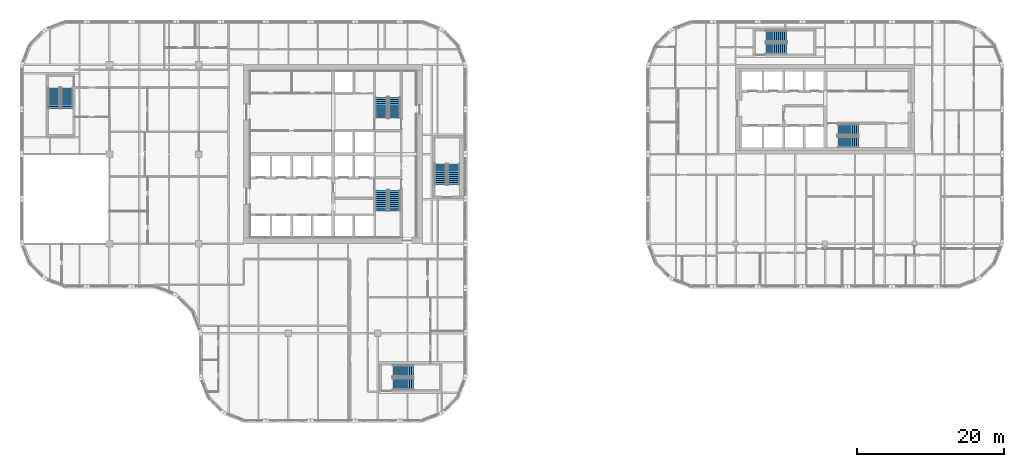
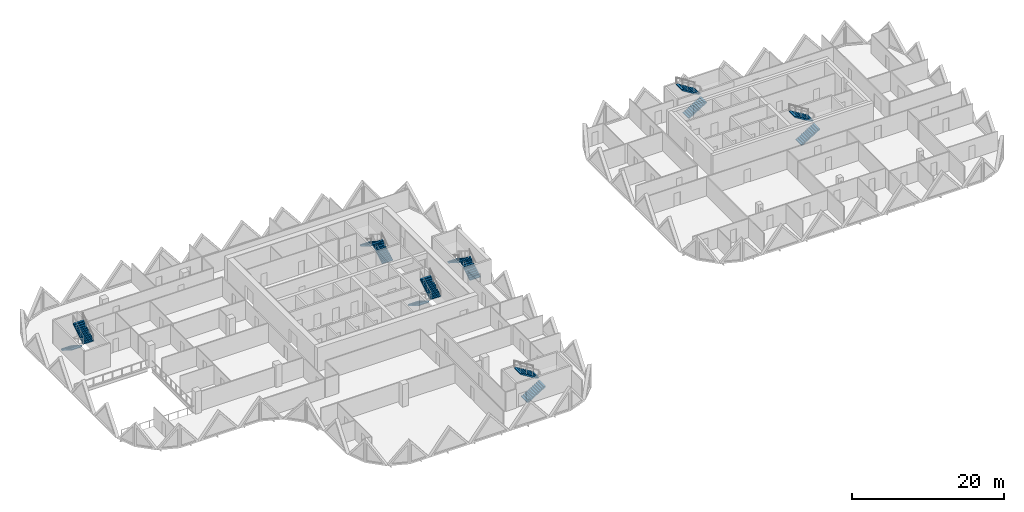
# One storey, part 17 of 19: 14 stair flights, 7 elements without a shape of their own.
"""IFC4 building model written with IfcOpenShell, lengths in metres."""

from ifc_helpers import new_model, si_unit, direction, frame, origin, place, context, subcontext, project, spatial, polyline, outline, extrude, material, type_object, element, aggregate, save


model = new_model("IFC4")

# Units and contexts
model_context = context("Model", 3, precision=1e-05, world=origin(), true_north=direction((0.0, 1.0)))
body_context = subcontext(model_context, "Body", "Model", "MODEL_VIEW")
ifc_project = project(units=[si_unit("LENGTHUNIT", "METRE"), si_unit("AREAUNIT", "SQUARE_METRE"), si_unit("VOLUMEUNIT", "CUBIC_METRE"), si_unit("PLANEANGLEUNIT", "RADIAN"), si_unit("MASSUNIT", "GRAM", prefix="KILO")], contexts=[model_context])

# Site, building, storey
site_placement = place(None, origin())
site = spatial("IfcSite", under=ifc_project, at=site_placement, CompositionType="ELEMENT")
building_placement = place(site_placement, origin())
building = spatial("IfcBuilding", under=site, at=building_placement, Name="Tessera Gate Towers", CompositionType="ELEMENT")
storey_placement = place(building_placement, frame((0.0, 0.0, 68.60009765625)))
storey = spatial("IfcBuildingStorey", under=building, at=storey_placement, Name="L16", CompositionType="ELEMENT", Elevation=68.60009765625)

# Stair, stair flights
ifc_material_1 = material(Name="Concrete C40/50", Category="concrete")
stair_type_1 = type_object("IfcStairType", Name="EXIT STAIR ST1 1600", PredefinedType="HALF_TURN_STAIR", material=ifc_material_1)
stair_1_placement = place(storey_placement, origin())
stair_1 = element("IfcStair", 1, at=stair_1_placement, inside=storey, type_object=stair_type_1, Name="L16 Protected Exit Stair ST1", PredefinedType="HALF_TURN_STAIR")
ifc_material_2 = material(Name="Concrete C40/50", Category="concrete")
stair_flight_type_1 = type_object("IfcStairFlightType", Name="EXIT STAIR FLIGHT ST1 1600", PredefinedType="STRAIGHT", material=ifc_material_2)
stair_flight_1_placement = place(storey_placement, frame((49.27490234375, 31.675048828125, 0.0), z_axis=(0.0, 0.0, 1.0), x_axis=(0.0, -1.0, 0.0)))
stair_flight_1 = element("IfcStairFlight", 2, at=stair_flight_1_placement, type_object=stair_flight_type_1, Name="ST1 flight 1", NumberOfRisers=11, NumberOfTreads=10, PredefinedType="STRAIGHT", RiserHeight=0.172727273, TreadLength=0.28, context=body_context, shape_type="SweptSolid", body=[
    extrude(outline(polyline([(0.0, 0.0), (0.0, 0.172607421875), (0.280029296875, 0.172607421875), (0.280029296875, 0.345458984375), (0.56005859375, 0.345458984375), (0.56005859375, 0.51806640625), (0.840087890625, 0.51806640625), (0.840087890625, 0.69091796875), (1.1201171875, 0.69091796875), (1.1201171875, 0.863525390625), (1.39990234375, 0.863525390625), (1.39990234375, 1.036376953125), (1.679931640625, 1.036376953125), (1.679931640625, 1.208984375), (1.9599609375, 1.208984375), (1.9599609375, 1.3818359375), (2.239990234375, 1.3818359375), (2.239990234375, 1.554443359375), (2.52001953125, 1.554443359375), (2.52001953125, 1.727294921875), (2.800048828125, 1.727294921875), (2.800048828125, 1.89990234375), (2.800048828125, 1.551025390625), (0.285400390625, 0.0), (0.0, 0.0)])), frame((0.0, 0.800048828125, 0.0), z_axis=(0.0, -1.0, 0.0), x_axis=(1.0, 0.0, 0.0)), (0.0, 0.0, 1.0), 1.60009765625),
])
stair_flight_2_placement = place(storey_placement, frame((51.074951171875, 28.875, 1.89990234375), z_axis=(0.0, 0.0, 1.0), x_axis=(0.0, 1.0, 0.0)))
stair_flight_2 = element("IfcStairFlight", 3, at=stair_flight_2_placement, type_object=stair_flight_type_1, Name="ST1 flight 2", NumberOfRisers=11, NumberOfTreads=10, PredefinedType="STRAIGHT", RiserHeight=0.172727273, TreadLength=0.28, context=body_context, shape_type="SweptSolid", body=[
    extrude(outline(polyline([(0.0, 0.0), (0.0, 0.172607421875), (0.280029296875, 0.172607421875), (0.280029296875, 0.345458984375), (0.56005859375, 0.345458984375), (0.56005859375, 0.51806640625), (0.840087890625, 0.51806640625), (0.840087890625, 0.69091796875), (1.1201171875, 0.69091796875), (1.1201171875, 0.863525390625), (1.39990234375, 0.863525390625), (1.39990234375, 1.036376953125), (1.679931640625, 1.036376953125), (1.679931640625, 1.208984375), (1.9599609375, 1.208984375), (1.9599609375, 1.3818359375), (2.239990234375, 1.3818359375), (2.239990234375, 1.554443359375), (2.52001953125, 1.554443359375), (2.52001953125, 1.727294921875), (2.800048828125, 1.727294921875), (2.800048828125, 1.89990234375), (2.800048828125, 1.551025390625), (0.285400390625, 0.0), (0.0, 0.0)])), frame((0.0, 0.800048828125, 0.0), z_axis=(0.0, -1.0, 0.0), x_axis=(1.0, 0.0, 0.0)), (0.0, 0.0, 1.0), 1.60009765625),
])
aggregate(stair_1, [stair_flight_1, stair_flight_2])

ifc_material_3 = material(Name="Concrete C40/50", Category="concrete")
stair_type_2 = type_object("IfcStairType", Name="EXIT STAIR ST2 1600", PredefinedType="HALF_TURN_STAIR", material=ifc_material_3)
stair_2_placement = place(storey_placement, origin())
stair_2 = element("IfcStair", 4, at=stair_2_placement, inside=storey, type_object=stair_type_2, Name="L16 Protected Exit Stair ST2", PredefinedType="HALF_TURN_STAIR")
ifc_material_4 = material(Name="Concrete C40/50", Category="concrete")
stair_flight_type_2 = type_object("IfcStairFlightType", Name="EXIT STAIR FLIGHT ST2 1600", PredefinedType="STRAIGHT", material=ifc_material_4)
stair_flight_3_placement = place(storey_placement, frame((51.074951171875, 41.52490234375, 0.0), z_axis=(0.0, 0.0, 1.0), x_axis=(0.0, 1.0, 0.0)))
stair_flight_3 = element("IfcStairFlight", 5, at=stair_flight_3_placement, type_object=stair_flight_type_2, Name="ST2 flight 1", NumberOfRisers=11, NumberOfTreads=10, PredefinedType="STRAIGHT", RiserHeight=0.172727273, TreadLength=0.28, context=body_context, shape_type="SweptSolid", body=[
    extrude(outline(polyline([(0.0, 0.0), (0.0, 0.172607421875), (0.280029296875, 0.172607421875), (0.280029296875, 0.345458984375), (0.56005859375, 0.345458984375), (0.56005859375, 0.51806640625), (0.840087890625, 0.51806640625), (0.840087890625, 0.69091796875), (1.1201171875, 0.69091796875), (1.1201171875, 0.863525390625), (1.39990234375, 0.863525390625), (1.39990234375, 1.036376953125), (1.679931640625, 1.036376953125), (1.679931640625, 1.208984375), (1.9599609375, 1.208984375), (1.9599609375, 1.3818359375), (2.239990234375, 1.3818359375), (2.239990234375, 1.554443359375), (2.52001953125, 1.554443359375), (2.52001953125, 1.727294921875), (2.800048828125, 1.727294921875), (2.800048828125, 1.89990234375), (2.800048828125, 1.551025390625), (0.285400390625, 0.0), (0.0, 0.0)])), frame((0.0, 0.800048828125, 0.0), z_axis=(0.0, -1.0, 0.0), x_axis=(1.0, 0.0, 0.0)), (0.0, 0.0, 1.0), 1.60009765625),
])
stair_flight_4_placement = place(storey_placement, frame((49.27490234375, 44.324951171875, 1.89990234375), z_axis=(0.0, 0.0, 1.0), x_axis=(0.0, -1.0, 0.0)))
stair_flight_4 = element("IfcStairFlight", 6, at=stair_flight_4_placement, type_object=stair_flight_type_2, Name="ST2 flight 2", NumberOfRisers=11, NumberOfTreads=10, PredefinedType="STRAIGHT", RiserHeight=0.172727273, TreadLength=0.28, context=body_context, shape_type="SweptSolid", body=[
    extrude(outline(polyline([(0.0, 0.0), (0.0, 0.172607421875), (0.280029296875, 0.172607421875), (0.280029296875, 0.345458984375), (0.56005859375, 0.345458984375), (0.56005859375, 0.51806640625), (0.840087890625, 0.51806640625), (0.840087890625, 0.69091796875), (1.1201171875, 0.69091796875), (1.1201171875, 0.863525390625), (1.39990234375, 0.863525390625), (1.39990234375, 1.036376953125), (1.679931640625, 1.036376953125), (1.679931640625, 1.208984375), (1.9599609375, 1.208984375), (1.9599609375, 1.3818359375), (2.239990234375, 1.3818359375), (2.239990234375, 1.554443359375), (2.52001953125, 1.554443359375), (2.52001953125, 1.727294921875), (2.800048828125, 1.727294921875), (2.800048828125, 1.89990234375), (2.800048828125, 1.551025390625), (0.285400390625, 0.0), (0.0, 0.0)])), frame((0.0, 0.800048828125, 0.0), z_axis=(0.0, -1.0, 0.0), x_axis=(1.0, 0.0, 0.0)), (0.0, 0.0, 1.0), 1.60009765625),
])
aggregate(stair_2, [stair_flight_3, stair_flight_4])

ifc_material_5 = material(Name="Concrete C40/50", Category="concrete")
stair_type_3 = type_object("IfcStairType", Name="EXIT STAIR ST3 1600", PredefinedType="HALF_TURN_STAIR", material=ifc_material_5)
stair_3_placement = place(storey_placement, origin())
stair_3 = element("IfcStair", 7, at=stair_3_placement, inside=storey, type_object=stair_type_3, Name="L16 West Exit Stair ST3", PredefinedType="HALF_TURN_STAIR")
ifc_material_6 = material(Name="Concrete C40/50", Category="concrete")
stair_flight_type_3 = type_object("IfcStairFlightType", Name="EXIT STAIR FLIGHT ST3 1600", PredefinedType="STRAIGHT", material=ifc_material_6)
stair_flight_5_placement = place(storey_placement, frame((4.64990234375, 45.64990234375, 0.0), z_axis=(0.0, 0.0, 1.0), x_axis=(0.0, -1.0, 0.0)))
stair_flight_5 = element("IfcStairFlight", 8, at=stair_flight_5_placement, type_object=stair_flight_type_3, Name="ST3 flight 1", NumberOfRisers=11, NumberOfTreads=10, PredefinedType="STRAIGHT", RiserHeight=0.172727273, TreadLength=0.28, context=body_context, shape_type="SweptSolid", body=[
    extrude(outline(polyline([(0.0, 0.0), (0.0, 0.172607421875), (0.280029296875, 0.172607421875), (0.280029296875, 0.345458984375), (0.56005859375, 0.345458984375), (0.56005859375, 0.51806640625), (0.840087890625, 0.51806640625), (0.840087890625, 0.69091796875), (1.1201171875, 0.69091796875), (1.1201171875, 0.863525390625), (1.39990234375, 0.863525390625), (1.39990234375, 1.036376953125), (1.679931640625, 1.036376953125), (1.679931640625, 1.208984375), (1.9599609375, 1.208984375), (1.9599609375, 1.3818359375), (2.239990234375, 1.3818359375), (2.239990234375, 1.554443359375), (2.52001953125, 1.554443359375), (2.52001953125, 1.727294921875), (2.800048828125, 1.727294921875), (2.800048828125, 1.89990234375), (2.800048828125, 1.551025390625), (0.285400390625, 0.0), (0.0, 0.0)])), frame((0.0, 0.800048828125, 0.0), z_axis=(0.0, -1.0, 0.0), x_axis=(1.0, 0.0, 0.0)), (0.0, 0.0, 1.0), 1.60009765625),
])
stair_flight_6_placement = place(storey_placement, frame((6.449951171875, 42.85009765625, 1.89990234375), z_axis=(0.0, 0.0, 1.0), x_axis=(0.0, 1.0, 0.0)))
stair_flight_6 = element("IfcStairFlight", 9, at=stair_flight_6_placement, type_object=stair_flight_type_3, Name="ST3 flight 2", NumberOfRisers=11, NumberOfTreads=10, PredefinedType="STRAIGHT", RiserHeight=0.172727273, TreadLength=0.28, context=body_context, shape_type="SweptSolid", body=[
    extrude(outline(polyline([(0.0, 0.0), (0.0, 0.172607421875), (0.280029296875, 0.172607421875), (0.280029296875, 0.345458984375), (0.56005859375, 0.345458984375), (0.56005859375, 0.51806640625), (0.840087890625, 0.51806640625), (0.840087890625, 0.69091796875), (1.1201171875, 0.69091796875), (1.1201171875, 0.863525390625), (1.39990234375, 0.863525390625), (1.39990234375, 1.036376953125), (1.679931640625, 1.036376953125), (1.679931640625, 1.208984375), (1.9599609375, 1.208984375), (1.9599609375, 1.3818359375), (2.239990234375, 1.3818359375), (2.239990234375, 1.554443359375), (2.52001953125, 1.554443359375), (2.52001953125, 1.727294921875), (2.800048828125, 1.727294921875), (2.800048828125, 1.89990234375), (2.800048828125, 1.551025390625), (0.285400390625, 0.0), (0.0, 0.0)])), frame((0.0, 0.800048828125, 0.0), z_axis=(0.0, -1.0, 0.0), x_axis=(1.0, 0.0, 0.0)), (0.0, 0.0, 1.0), 1.60009765625),
])
aggregate(stair_3, [stair_flight_5, stair_flight_6])

ifc_material_7 = material(Name="Concrete C40/50", Category="concrete")
stair_type_4 = type_object("IfcStairType", Name="EXIT STAIR ST4 1600", PredefinedType="HALF_TURN_STAIR", material=ifc_material_7)
stair_4_placement = place(storey_placement, origin())
stair_4 = element("IfcStair", 10, at=stair_4_placement, inside=storey, type_object=stair_type_4, Name="L16 South Exit Stair ST4", PredefinedType="HALF_TURN_STAIR")
ifc_material_8 = material(Name="Concrete C40/50", Category="concrete")
stair_flight_type_4 = type_object("IfcStairFlightType", Name="EXIT STAIR FLIGHT ST4 1600", PredefinedType="STRAIGHT", material=ifc_material_8)
stair_flight_7_placement = place(storey_placement, frame((50.85009765625, 5.25, 0.0), z_axis=(0.0, 0.0, 1.0), x_axis=(1.0, 0.0, 0.0)))
stair_flight_7 = element("IfcStairFlight", 11, at=stair_flight_7_placement, type_object=stair_flight_type_4, Name="ST4 flight 1", NumberOfRisers=11, NumberOfTreads=10, PredefinedType="STRAIGHT", RiserHeight=0.172727273, TreadLength=0.28, context=body_context, shape_type="SweptSolid", body=[
    extrude(outline(polyline([(0.0, 0.0), (0.0, 0.172607421875), (0.280029296875, 0.172607421875), (0.280029296875, 0.345458984375), (0.56005859375, 0.345458984375), (0.56005859375, 0.51806640625), (0.840087890625, 0.51806640625), (0.840087890625, 0.69091796875), (1.1201171875, 0.69091796875), (1.1201171875, 0.863525390625), (1.39990234375, 0.863525390625), (1.39990234375, 1.036376953125), (1.679931640625, 1.036376953125), (1.679931640625, 1.208984375), (1.9599609375, 1.208984375), (1.9599609375, 1.3818359375), (2.239990234375, 1.3818359375), (2.239990234375, 1.554443359375), (2.52001953125, 1.554443359375), (2.52001953125, 1.727294921875), (2.800048828125, 1.727294921875), (2.800048828125, 1.89990234375), (2.800048828125, 1.551025390625), (0.285400390625, 0.0), (0.0, 0.0)])), frame((0.0, 0.800048828125, 0.0), z_axis=(0.0, -1.0, 0.0), x_axis=(1.0, 0.0, 0.0)), (0.0, 0.0, 1.0), 1.60009765625),
])
stair_flight_8_placement = place(storey_placement, frame((53.64990234375, 7.050048828125, 1.89990234375), z_axis=(0.0, 0.0, 1.0), x_axis=(-1.0, 0.0, 0.0)))
stair_flight_8 = element("IfcStairFlight", 12, at=stair_flight_8_placement, type_object=stair_flight_type_4, Name="ST4 flight 2", NumberOfRisers=11, NumberOfTreads=10, PredefinedType="STRAIGHT", RiserHeight=0.172727273, TreadLength=0.28, context=body_context, shape_type="SweptSolid", body=[
    extrude(outline(polyline([(0.0, 0.0), (0.0, 0.172607421875), (0.280029296875, 0.172607421875), (0.280029296875, 0.345458984375), (0.56005859375, 0.345458984375), (0.56005859375, 0.51806640625), (0.840087890625, 0.51806640625), (0.840087890625, 0.69091796875), (1.1201171875, 0.69091796875), (1.1201171875, 0.863525390625), (1.39990234375, 0.863525390625), (1.39990234375, 1.036376953125), (1.679931640625, 1.036376953125), (1.679931640625, 1.208984375), (1.9599609375, 1.208984375), (1.9599609375, 1.3818359375), (2.239990234375, 1.3818359375), (2.239990234375, 1.554443359375), (2.52001953125, 1.554443359375), (2.52001953125, 1.727294921875), (2.800048828125, 1.727294921875), (2.800048828125, 1.89990234375), (2.800048828125, 1.551025390625), (0.285400390625, 0.0), (0.0, 0.0)])), frame((0.0, 0.800048828125, 0.0), z_axis=(0.0, -1.0, 0.0), x_axis=(1.0, 0.0, 0.0)), (0.0, 0.0, 1.0), 1.60009765625),
])
aggregate(stair_4, [stair_flight_7, stair_flight_8])

ifc_material_9 = material(Name="Concrete C40/50", Category="concrete")
stair_type_5 = type_object("IfcStairType", Name="EXIT STAIR ST5 1600", PredefinedType="HALF_TURN_STAIR", material=ifc_material_9)
stair_5_placement = place(storey_placement, origin())
stair_5 = element("IfcStair", 13, at=stair_5_placement, inside=storey, type_object=stair_type_5, Name="L16 East Exit Stair ST5", PredefinedType="HALF_TURN_STAIR")
ifc_material_10 = material(Name="Concrete C40/50", Category="concrete")
stair_flight_type_5 = type_object("IfcStairFlightType", Name="EXIT STAIR FLIGHT ST5 1600", PredefinedType="STRAIGHT", material=ifc_material_10)
stair_flight_9_placement = place(storey_placement, frame((59.14990234375, 32.449951171875, 0.0), z_axis=(0.0, 0.0, 1.0), x_axis=(0.0, 1.0, 0.0)))
stair_flight_9 = element("IfcStairFlight", 14, at=stair_flight_9_placement, type_object=stair_flight_type_5, Name="ST5 flight 1", NumberOfRisers=11, NumberOfTreads=10, PredefinedType="STRAIGHT", RiserHeight=0.172727273, TreadLength=0.28, context=body_context, shape_type="SweptSolid", body=[
    extrude(outline(polyline([(0.0, 0.0), (0.0, 0.172607421875), (0.280029296875, 0.172607421875), (0.280029296875, 0.345458984375), (0.56005859375, 0.345458984375), (0.56005859375, 0.51806640625), (0.840087890625, 0.51806640625), (0.840087890625, 0.69091796875), (1.1201171875, 0.69091796875), (1.1201171875, 0.863525390625), (1.39990234375, 0.863525390625), (1.39990234375, 1.036376953125), (1.679931640625, 1.036376953125), (1.679931640625, 1.208984375), (1.9599609375, 1.208984375), (1.9599609375, 1.3818359375), (2.239990234375, 1.3818359375), (2.239990234375, 1.554443359375), (2.52001953125, 1.554443359375), (2.52001953125, 1.727294921875), (2.800048828125, 1.727294921875), (2.800048828125, 1.89990234375), (2.800048828125, 1.551025390625), (0.285400390625, 0.0), (0.0, 0.0)])), frame((0.0, 0.800048828125, 0.0), z_axis=(0.0, -1.0, 0.0), x_axis=(1.0, 0.0, 0.0)), (0.0, 0.0, 1.0), 1.60009765625),
])
stair_flight_10_placement = place(storey_placement, frame((57.35009765625, 35.25, 1.89990234375), z_axis=(0.0, 0.0, 1.0), x_axis=(0.0, -1.0, 0.0)))
stair_flight_10 = element("IfcStairFlight", 15, at=stair_flight_10_placement, type_object=stair_flight_type_5, Name="ST5 flight 2", NumberOfRisers=11, NumberOfTreads=10, PredefinedType="STRAIGHT", RiserHeight=0.172727273, TreadLength=0.28, context=body_context, shape_type="SweptSolid", body=[
    extrude(outline(polyline([(0.0, 0.0), (0.0, 0.172607421875), (0.280029296875, 0.172607421875), (0.280029296875, 0.345458984375), (0.56005859375, 0.345458984375), (0.56005859375, 0.51806640625), (0.840087890625, 0.51806640625), (0.840087890625, 0.69091796875), (1.1201171875, 0.69091796875), (1.1201171875, 0.863525390625), (1.39990234375, 0.863525390625), (1.39990234375, 1.036376953125), (1.679931640625, 1.036376953125), (1.679931640625, 1.208984375), (1.9599609375, 1.208984375), (1.9599609375, 1.3818359375), (2.239990234375, 1.3818359375), (2.239990234375, 1.554443359375), (2.52001953125, 1.554443359375), (2.52001953125, 1.727294921875), (2.800048828125, 1.727294921875), (2.800048828125, 1.89990234375), (2.800048828125, 1.551025390625), (0.285400390625, 0.0), (0.0, 0.0)])), frame((0.0, 0.800048828125, 0.0), z_axis=(0.0, -1.0, 0.0), x_axis=(1.0, 0.0, 0.0)), (0.0, 0.0, 1.0), 1.60009765625),
])
aggregate(stair_5, [stair_flight_9, stair_flight_10])

ifc_material_11 = material(Name="Concrete C40/50", Category="concrete")
stair_type_6 = type_object("IfcStairType", Name="EXIT STAIR ST6 1500", PredefinedType="HALF_TURN_STAIR", material=ifc_material_11)
stair_6_placement = place(storey_placement, origin())
stair_6 = element("IfcStair", 16, at=stair_6_placement, inside=storey, type_object=stair_type_6, Name="L16 Protected Exit Stair ST6", PredefinedType="HALF_TURN_STAIR")
ifc_material_12 = material(Name="Concrete C40/50", Category="concrete")
stair_flight_type_6 = type_object("IfcStairFlightType", Name="EXIT STAIR FLIGHT ST6 1500", PredefinedType="STRAIGHT", material=ifc_material_12)
stair_flight_11_placement = place(storey_placement, frame((111.550048828125, 38.25, 0.0), z_axis=(0.0, 0.0, 1.0), x_axis=(1.0, 0.0, 0.0)))
stair_flight_11 = element("IfcStairFlight", 17, at=stair_flight_11_placement, type_object=stair_flight_type_6, Name="ST6 flight 1", NumberOfRisers=11, NumberOfTreads=10, PredefinedType="STRAIGHT", RiserHeight=0.172727273, TreadLength=0.28, context=body_context, shape_type="SweptSolid", body=[
    extrude(outline(polyline([(0.0, 0.0), (0.0, 0.172607421875), (0.280029296875, 0.172607421875), (0.280029296875, 0.345458984375), (0.56005859375, 0.345458984375), (0.56005859375, 0.51806640625), (0.840087890625, 0.51806640625), (0.840087890625, 0.69091796875), (1.1201171875, 0.69091796875), (1.1201171875, 0.863525390625), (1.39990234375, 0.863525390625), (1.39990234375, 1.036376953125), (1.679931640625, 1.036376953125), (1.679931640625, 1.208984375), (1.9599609375, 1.208984375), (1.9599609375, 1.3818359375), (2.239990234375, 1.3818359375), (2.239990234375, 1.554443359375), (2.52001953125, 1.554443359375), (2.52001953125, 1.727294921875), (2.800048828125, 1.727294921875), (2.800048828125, 1.89990234375), (2.800048828125, 1.551025390625), (0.285400390625, 0.0), (0.0, 0.0)])), frame((0.0, 0.75, 0.0), z_axis=(0.0, -1.0, 0.0), x_axis=(1.0, 0.0, 0.0)), (0.0, 0.0, 1.0), 1.5),
])
stair_flight_12_placement = place(storey_placement, frame((114.35009765625, 39.949951171875, 1.89990234375), z_axis=(0.0, 0.0, 1.0), x_axis=(-1.0, 0.0, 0.0)))
stair_flight_12 = element("IfcStairFlight", 18, at=stair_flight_12_placement, type_object=stair_flight_type_6, Name="ST6 flight 2", NumberOfRisers=11, NumberOfTreads=10, PredefinedType="STRAIGHT", RiserHeight=0.172727273, TreadLength=0.28, context=body_context, shape_type="SweptSolid", body=[
    extrude(outline(polyline([(0.0, 0.0), (0.0, 0.172607421875), (0.280029296875, 0.172607421875), (0.280029296875, 0.345458984375), (0.56005859375, 0.345458984375), (0.56005859375, 0.51806640625), (0.840087890625, 0.51806640625), (0.840087890625, 0.69091796875), (1.1201171875, 0.69091796875), (1.1201171875, 0.863525390625), (1.39990234375, 0.863525390625), (1.39990234375, 1.036376953125), (1.679931640625, 1.036376953125), (1.679931640625, 1.208984375), (1.9599609375, 1.208984375), (1.9599609375, 1.3818359375), (2.239990234375, 1.3818359375), (2.239990234375, 1.554443359375), (2.52001953125, 1.554443359375), (2.52001953125, 1.727294921875), (2.800048828125, 1.727294921875), (2.800048828125, 1.89990234375), (2.800048828125, 1.551025390625), (0.285400390625, 0.0), (0.0, 0.0)])), frame((0.0, 0.75, 0.0), z_axis=(0.0, -1.0, 0.0), x_axis=(1.0, 0.0, 0.0)), (0.0, 0.0, 1.0), 1.5),
])
aggregate(stair_6, [stair_flight_11, stair_flight_12])

ifc_material_13 = material(Name="Concrete C40/50", Category="concrete")
stair_type_7 = type_object("IfcStairType", Name="EXIT STAIR ST7 1500", PredefinedType="HALF_TURN_STAIR", material=ifc_material_13)
stair_7_placement = place(storey_placement, origin())
stair_7 = element("IfcStair", 19, at=stair_7_placement, inside=storey, type_object=stair_type_7, Name="L16 North Exit Stair ST7", PredefinedType="HALF_TURN_STAIR")
ifc_material_14 = material(Name="Concrete C40/50", Category="concrete")
stair_flight_type_7 = type_object("IfcStairFlightType", Name="EXIT STAIR FLIGHT ST7 1500", PredefinedType="STRAIGHT", material=ifc_material_14)
stair_flight_13_placement = place(storey_placement, frame((101.75, 51.0, 0.0), z_axis=(0.0, 0.0, 1.0), x_axis=(1.0, 0.0, 0.0)))
stair_flight_13 = element("IfcStairFlight", 20, at=stair_flight_13_placement, type_object=stair_flight_type_7, Name="ST7 flight 1", NumberOfRisers=11, NumberOfTreads=10, PredefinedType="STRAIGHT", RiserHeight=0.172727273, TreadLength=0.28, context=body_context, shape_type="SweptSolid", body=[
    extrude(outline(polyline([(0.0, 0.0), (0.0, 0.172607421875), (0.280029296875, 0.172607421875), (0.280029296875, 0.345458984375), (0.56005859375, 0.345458984375), (0.56005859375, 0.51806640625), (0.840087890625, 0.51806640625), (0.840087890625, 0.69091796875), (1.1201171875, 0.69091796875), (1.1201171875, 0.863525390625), (1.39990234375, 0.863525390625), (1.39990234375, 1.036376953125), (1.679931640625, 1.036376953125), (1.679931640625, 1.208984375), (1.9599609375, 1.208984375), (1.9599609375, 1.3818359375), (2.239990234375, 1.3818359375), (2.239990234375, 1.554443359375), (2.52001953125, 1.554443359375), (2.52001953125, 1.727294921875), (2.800048828125, 1.727294921875), (2.800048828125, 1.89990234375), (2.800048828125, 1.551025390625), (0.285400390625, 0.0), (0.0, 0.0)])), frame((0.0, 0.75, 0.0), z_axis=(0.0, -1.0, 0.0), x_axis=(1.0, 0.0, 0.0)), (0.0, 0.0, 1.0), 1.5),
])
stair_flight_14_placement = place(storey_placement, frame((104.550048828125, 52.699951171875, 1.89990234375), z_axis=(0.0, 0.0, 1.0), x_axis=(-1.0, 0.0, 0.0)))
stair_flight_14 = element("IfcStairFlight", 21, at=stair_flight_14_placement, type_object=stair_flight_type_7, Name="ST7 flight 2", NumberOfRisers=11, NumberOfTreads=10, PredefinedType="STRAIGHT", RiserHeight=0.172727273, TreadLength=0.28, context=body_context, shape_type="SweptSolid", body=[
    extrude(outline(polyline([(0.0, 0.0), (0.0, 0.172607421875), (0.280029296875, 0.172607421875), (0.280029296875, 0.345458984375), (0.56005859375, 0.345458984375), (0.56005859375, 0.51806640625), (0.840087890625, 0.51806640625), (0.840087890625, 0.69091796875), (1.1201171875, 0.69091796875), (1.1201171875, 0.863525390625), (1.39990234375, 0.863525390625), (1.39990234375, 1.036376953125), (1.679931640625, 1.036376953125), (1.679931640625, 1.208984375), (1.9599609375, 1.208984375), (1.9599609375, 1.3818359375), (2.239990234375, 1.3818359375), (2.239990234375, 1.554443359375), (2.52001953125, 1.554443359375), (2.52001953125, 1.727294921875), (2.800048828125, 1.727294921875), (2.800048828125, 1.89990234375), (2.800048828125, 1.551025390625), (0.285400390625, 0.0), (0.0, 0.0)])), frame((0.0, 0.75, 0.0), z_axis=(0.0, -1.0, 0.0), x_axis=(1.0, 0.0, 0.0)), (0.0, 0.0, 1.0), 1.5),
])
aggregate(stair_7, [stair_flight_13, stair_flight_14])

save(model, "model.ifc")
